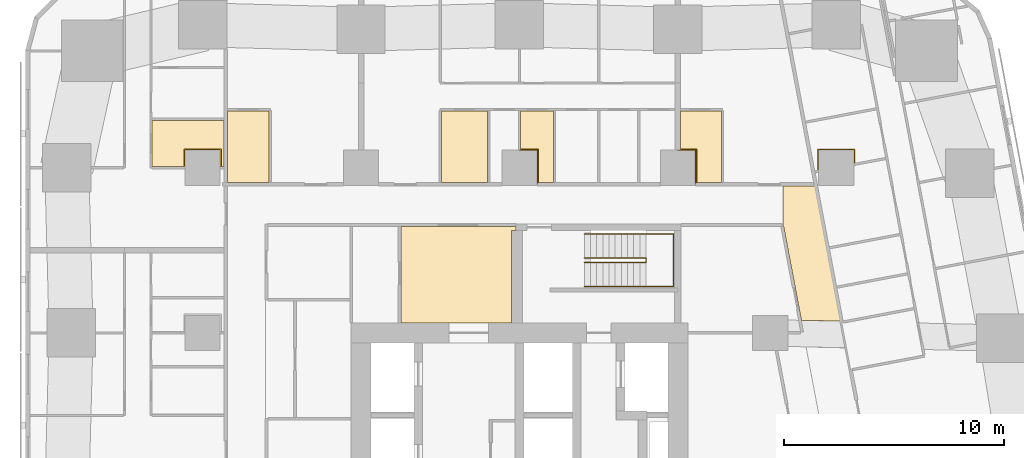
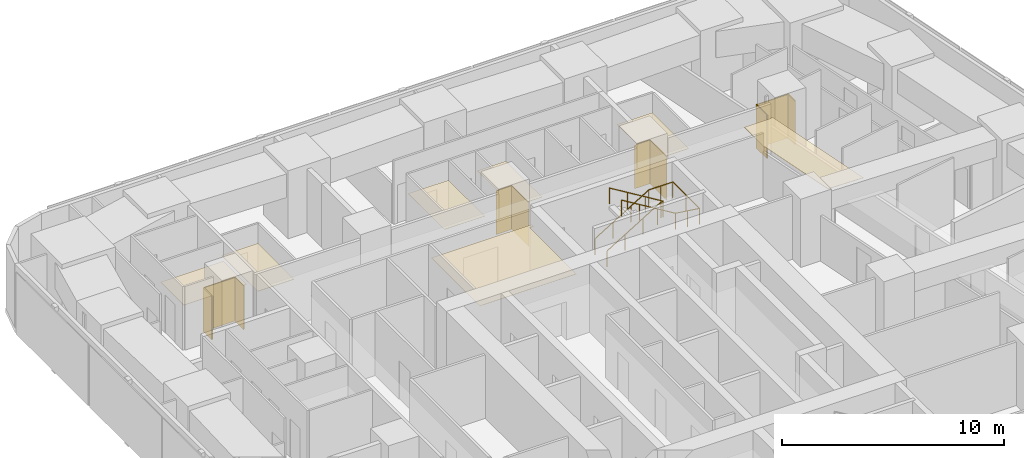
# One storey, part 15 of 15: 11 coverings, 2 railings.
"""IFC4 building model written with IfcOpenShell, lengths in metres."""

from ifc_helpers import new_model, si_unit, direction, frame, origin, origin_2d, place, context, subcontext, project, spatial, polyline, circle, outline, extrude, material, layer, layer_set, type_object, element, save


model = new_model("IFC4")

# Units and contexts
model_context = context("Model", 3, precision=1e-05, world=origin(), true_north=direction((0.0, 1.0)))
body_context = subcontext(model_context, "Body", "Model", "MODEL_VIEW")
ifc_project = project(units=[si_unit("LENGTHUNIT", "METRE"), si_unit("AREAUNIT", "SQUARE_METRE"), si_unit("VOLUMEUNIT", "CUBIC_METRE"), si_unit("PLANEANGLEUNIT", "RADIAN"), si_unit("MASSUNIT", "GRAM", prefix="KILO")], contexts=[model_context])

# Site, building, storey
site_placement = place(None, origin())
site = spatial("IfcSite", under=ifc_project, at=site_placement, CompositionType="ELEMENT")
building_placement = place(site_placement, origin())
building = spatial("IfcBuilding", under=site, at=building_placement, Name="Sheger Commons Tower", CompositionType="ELEMENT")
storey_placement = place(building_placement, frame((0.0, 0.0, 85.39990234375)))
storey = spatial("IfcBuildingStorey", under=building, at=storey_placement, Name="L21", CompositionType="ELEMENT", Elevation=85.39990234375)

# Railings
ifc_material_1 = material(Name="Steel handrail, black powder-coated", Category="steel")
railing_type = type_object("IfcRailingType", Name="HANDRAIL 900", PredefinedType="HANDRAIL", material=ifc_material_1)
railing_1_placement = place(storey_placement, frame((24.550048828125, 33.39990234375, 0.170654296875)))
element("IfcRailing", 1, at=railing_1_placement, inside=storey, type_object=railing_type, Name="Stair S2 handrail L21", PredefinedType="HANDRAIL", context=body_context, shape_type="SweptSolid", body=[
    extrude(circle(Radius=0.02392578125, at=origin_2d()), frame((0.0, 0.0, 0.8759765625), z_axis=(0.854202870247, 0.0, 0.519939858505), x_axis=(0.0, 1.0, 0.0)), (0.0, 0.0, 1.0), 3.278076171875),
    extrude(circle(Radius=0.02392578125, at=origin_2d()), frame((2.800048828125, 0.0, 2.580078125), z_axis=(0.0, -0.760631612298, 0.649183757016), x_axis=(1.0, 0.0, 0.0)), (0.0, 0.0, 1.0), 0.262939453125),
    extrude(circle(Radius=0.02392578125, at=origin_2d()), frame((2.800048828125, -0.199951171875, 2.7509765625), z_axis=(-0.854202870247, 0.0, 0.519939858505), x_axis=(0.0, -1.0, 0.0)), (0.0, 0.0, 1.0), 3.278076171875),
    extrude(circle(Radius=0.02099609375, at=origin_2d()), origin(), (0.0, 0.0, 1.0), 0.851806640625),
    extrude(circle(Radius=0.02099609375, at=origin_2d()), frame((0.933349609375, 0.0, 0.568115234375)), (0.0, 0.0, 1.0), 0.851806640625),
    extrude(circle(Radius=0.02099609375, at=origin_2d()), frame((1.86669921875, 0.0, 1.13623046875)), (0.0, 0.0, 1.0), 0.851806640625),
    extrude(circle(Radius=0.02099609375, at=origin_2d()), frame((2.800048828125, 0.0, 1.704345703125)), (0.0, 0.0, 1.0), 0.851806640625),
    extrude(circle(Radius=0.02099609375, at=origin_2d()), frame((2.800048828125, -0.199951171875, 1.875)), (0.0, 0.0, 1.0), 0.851806640625),
    extrude(circle(Radius=0.02099609375, at=origin_2d()), frame((1.86669921875, -0.199951171875, 2.443115234375)), (0.0, 0.0, 1.0), 0.851806640625),
    extrude(circle(Radius=0.02099609375, at=origin_2d()), frame((0.933349609375, -0.199951171875, 3.01123046875)), (0.0, 0.0, 1.0), 0.851806640625),
    extrude(circle(Radius=0.02099609375, at=origin_2d()), frame((0.0, -0.199951171875, 3.579345703125)), (0.0, 0.0, 1.0), 0.851806640625),
])
railing_2_placement = place(storey_placement, frame((24.550048828125, 34.5, 0.170654296875)))
element("IfcRailing", 2, at=railing_2_placement, inside=storey, type_object=railing_type, Name="Stair S2 handrail L21", PredefinedType="HANDRAIL", context=body_context, shape_type="SweptSolid", body=[
    extrude(circle(Radius=0.02392578125, at=origin_2d()), frame((0.0, 0.0, 0.8759765625), z_axis=(0.854202870247, 0.0, 0.519939858505), x_axis=(0.0, 1.0, 0.0)), (0.0, 0.0, 1.0), 3.278076171875),
    extrude(circle(Radius=0.02392578125, at=origin_2d()), frame((2.800048828125, 0.0, 2.580078125), z_axis=(1.0, 0.0, 0.0), x_axis=(0.0, 1.0, 0.0)), (0.0, 0.0, 1.0), 1.25),
    extrude(circle(Radius=0.02392578125, at=origin_2d()), frame((4.050048828125, 0.0, 2.580078125), z_axis=(0.0, -1.0, 0.0), x_axis=(1.0, 0.0, 0.0)), (0.0, 0.0, 1.0), 2.39990234375),
    extrude(circle(Radius=0.02392578125, at=origin_2d()), frame((4.050048828125, -2.39990234375, 2.580078125), z_axis=(-0.990808959222, 0.0, 0.135268645019), x_axis=(0.0, -1.0, 0.0)), (0.0, 0.0, 1.0), 1.261474609375),
    extrude(circle(Radius=0.02392578125, at=origin_2d()), frame((2.800048828125, -2.39990234375, 2.7509765625), z_axis=(-0.854202870247, 0.0, 0.519939858505), x_axis=(0.0, -1.0, 0.0)), (0.0, 0.0, 1.0), 3.278076171875),
    extrude(circle(Radius=0.02099609375, at=origin_2d()), origin(), (0.0, 0.0, 1.0), 0.851806640625),
    extrude(circle(Radius=0.02099609375, at=origin_2d()), frame((0.933349609375, 0.0, 0.568115234375)), (0.0, 0.0, 1.0), 0.851806640625),
    extrude(circle(Radius=0.02099609375, at=origin_2d()), frame((1.86669921875, 0.0, 1.13623046875)), (0.0, 0.0, 1.0), 0.851806640625),
    extrude(circle(Radius=0.02099609375, at=origin_2d()), frame((2.800048828125, 0.0, 1.704345703125)), (0.0, 0.0, 1.0), 0.851806640625),
    extrude(circle(Radius=0.02099609375, at=origin_2d()), frame((3.425048828125, 0.0, 1.704345703125)), (0.0, 0.0, 1.0), 0.851806640625),
    extrude(circle(Radius=0.02099609375, at=origin_2d()), frame((4.050048828125, 0.0, 1.704345703125)), (0.0, 0.0, 1.0), 0.851806640625),
    extrude(circle(Radius=0.02099609375, at=origin_2d()), frame((4.050048828125, -1.199951171875, 1.704345703125)), (0.0, 0.0, 1.0), 0.851806640625),
    extrude(circle(Radius=0.02099609375, at=origin_2d()), frame((4.050048828125, -2.39990234375, 1.704345703125)), (0.0, 0.0, 1.0), 0.851806640625),
    extrude(circle(Radius=0.02099609375, at=origin_2d()), frame((3.425048828125, -2.39990234375, 1.78955078125)), (0.0, 0.0, 1.0), 0.851806640625),
    extrude(circle(Radius=0.02099609375, at=origin_2d()), frame((2.800048828125, -2.39990234375, 1.875)), (0.0, 0.0, 1.0), 0.851806640625),
    extrude(circle(Radius=0.02099609375, at=origin_2d()), frame((1.86669921875, -2.39990234375, 2.443115234375)), (0.0, 0.0, 1.0), 0.851806640625),
    extrude(circle(Radius=0.02099609375, at=origin_2d()), frame((0.933349609375, -2.39990234375, 3.01123046875)), (0.0, 0.0, 1.0), 0.851806640625),
    extrude(circle(Radius=0.02099609375, at=origin_2d()), frame((0.0, -2.39990234375, 3.579345703125)), (0.0, 0.0, 1.0), 0.851806640625),
])

# Coverings
ifc_material_2 = material(Name="Moisture-resistant gypsum plasterboard 15 mm on a suspended galvanised steel grid", Category="steel")
ifc_layer_1 = layer(ifc_material_2, 0.014892578125)
ifc_layer_set_1 = layer_set([ifc_layer_1], Name="MOISTURE-RESISTANT CEILING 15")
covering_type_1 = type_object("IfcCoveringType", Name="MOISTURE-RESISTANT CEILING 15", PredefinedType="CEILING", material=ifc_layer_set_1)
covering_1_placement = place(storey_placement, frame((0.0, 0.0, 2.400146484375)))
element("IfcCovering", 3, at=covering_1_placement, inside=storey, type_object=covering_type_1, Name="L21-03.B1 ceiling", PredefinedType="CEILING", context=body_context, shape_type="SweptSolid", body=[
    extrude(outline(polyline([(4.905029296875, 37.554931640625), (6.39501953125, 37.554931640625), (6.39501953125, 38.304931640625), (8.0048828125, 38.304931640625), (8.0048828125, 37.554931640625), (8.169921875, 37.554931640625), (8.169921875, 39.655029296875), (4.905029296875, 39.655029296875), (4.905029296875, 37.554931640625)])), origin(), (0.0, 0.0, 1.0), 0.014892578125),
])
covering_2_placement = place(storey_placement, frame((0.0, 0.0, 2.400146484375)))
element("IfcCovering", 4, at=covering_2_placement, inside=storey, type_object=covering_type_1, Name="L21-10.B1 ceiling", PredefinedType="CEILING", context=body_context, shape_type="SweptSolid", body=[
    extrude(outline(polyline([(8.330078125, 36.830078125), (10.22412109375, 36.830078125), (10.22412109375, 40.094970703125), (8.330078125, 40.094970703125), (8.330078125, 36.830078125)])), origin(), (0.0, 0.0, 1.0), 0.014892578125),
])
covering_3_placement = place(storey_placement, frame((0.0, 0.0, 2.400146484375)))
element("IfcCovering", 5, at=covering_3_placement, inside=storey, type_object=covering_type_1, Name="L21-11.B1 ceiling", PredefinedType="CEILING", context=body_context, shape_type="SweptSolid", body=[
    extrude(outline(polyline([(18.054931640625, 36.830078125), (20.155029296875, 36.830078125), (20.155029296875, 40.094970703125), (18.054931640625, 40.094970703125), (18.054931640625, 36.830078125)])), origin(), (0.0, 0.0, 1.0), 0.014892578125),
])
covering_4_placement = place(storey_placement, frame((0.0, 0.0, 2.400146484375)))
element("IfcCovering", 6, at=covering_4_placement, inside=storey, type_object=covering_type_1, Name="L21-11.B2 ceiling", PredefinedType="CEILING", context=body_context, shape_type="SweptSolid", body=[
    extrude(outline(polyline([(22.405029296875, 36.830078125), (23.14501953125, 36.830078125), (23.14501953125, 40.094970703125), (21.655029296875, 40.094970703125), (21.655029296875, 38.304931640625), (22.405029296875, 38.304931640625), (22.405029296875, 36.830078125)])), origin(), (0.0, 0.0, 1.0), 0.014892578125),
])
covering_5_placement = place(storey_placement, frame((0.0, 0.0, 2.400146484375)))
element("IfcCovering", 7, at=covering_5_placement, inside=storey, type_object=covering_type_1, Name="L21-12.B1 ceiling", PredefinedType="CEILING", context=body_context, shape_type="SweptSolid", body=[
    extrude(outline(polyline([(29.60498046875, 36.830078125), (30.77392578125, 36.830078125), (30.77392578125, 40.094970703125), (28.929931640625, 40.094970703125), (28.929931640625, 38.304931640625), (29.60498046875, 38.304931640625), (29.60498046875, 36.830078125)])), origin(), (0.0, 0.0, 1.0), 0.014892578125),
])
ifc_material_3 = material(Name="Gypsum plasterboard 15 mm on a suspended steel grid", Category="steel")
ifc_layer_2 = layer(ifc_material_3, 0.014892578125)
ifc_layer_set_2 = layer_set([ifc_layer_2], Name="SUSPENDED CEILING 15")
covering_type_2 = type_object("IfcCoveringType", Name="SUSPENDED CEILING 15", PredefinedType="CEILING", material=ifc_layer_set_2)
covering_6_placement = place(storey_placement, frame((0.0, 0.0, 2.7001953125)))
element("IfcCovering", 8, at=covering_6_placement, inside=storey, type_object=covering_type_2, Name="L21-CO ceiling", PredefinedType="CEILING", context=body_context, shape_type="SweptSolid", body=[
    extrude(outline(polyline([(36.237060546875, 30.531982421875), (35.06201171875, 36.75), (34.97802734375, 36.75), (34.97802734375, 36.669921875), (33.572998046875, 36.669921875), (33.572998046875, 34.947998046875), (33.571044921875, 34.947998046875), (33.589111328125, 34.85205078125), (33.60595703125, 34.85498046875), (34.416015625, 30.572998046875), (36.237060546875, 30.531982421875)])), origin(), (0.0, 0.0, 1.0), 0.014892578125),
])
covering_7_placement = place(storey_placement, frame((0.0, 0.0, 2.7001953125)))
element("IfcCovering", 9, at=covering_7_placement, inside=storey, type_object=covering_type_2, Name="L21-SVN1 ceiling", PredefinedType="CEILING", context=body_context, shape_type="SweptSolid", body=[
    extrude(outline(polyline([(16.217041015625, 30.455078125), (21.2451171875, 30.455078125), (21.2451171875, 34.655029296875), (21.445068359375, 34.655029296875), (21.445068359375, 34.83203125), (16.217041015625, 34.83203125), (16.217041015625, 30.455078125)])), origin(), (0.0, 0.0, 1.0), 0.014892578125),
])
ifc_material_4 = material(Name="Moisture-resistant gypsum board 12.5 mm on 25 mm treated timber battens, tanked and tiled", Category="wood")
ifc_layer_3 = layer(ifc_material_4, 0.050048828125)
ifc_layer_set_3 = layer_set([ifc_layer_3], Name="WET-ROOM COLUMN LINING")
covering_type_3 = type_object("IfcCoveringType", Name="WET-ROOM COLUMN LINING", PredefinedType="CLADDING", material=ifc_layer_set_3)
covering_8_placement = place(storey_placement, origin())
element("IfcCovering", 10, at=covering_8_placement, inside=storey, type_object=covering_type_3, Name="Bathroom column lining C9 L21", PredefinedType="CLADDING", context=body_context, shape_type="SweptSolid", body=[
    extrude(outline(polyline([(8.050048828125, 38.35009765625), (8.050048828125, 37.550048828125), (8.0009765625, 37.550048828125), (8.0009765625, 37.5), (8.0, 37.5), (8.0, 38.300048828125), (6.39990234375, 38.300048828125), (6.39990234375, 37.5), (6.39892578125, 37.5), (6.39892578125, 37.550048828125), (6.35009765625, 37.550048828125), (6.35009765625, 38.35009765625), (8.050048828125, 38.35009765625)])), origin(), (0.0, 0.0, 1.0), 2.400146484375),
])
covering_9_placement = place(storey_placement, origin())
element("IfcCovering", 11, at=covering_9_placement, inside=storey, type_object=covering_type_3, Name="Shower room column lining C9 L21", PredefinedType="CLADDING", context=body_context, shape_type="SweptSolid", body=[
    extrude(outline(polyline([(22.449951171875, 36.824951171875), (22.40087890625, 36.824951171875), (22.40087890625, 36.75), (22.39990234375, 36.75), (22.39990234375, 38.300048828125), (21.60009765625, 38.300048828125), (21.60009765625, 38.301025390625), (21.64990234375, 38.301025390625), (21.64990234375, 38.35009765625), (22.449951171875, 38.35009765625), (22.449951171875, 36.824951171875)])), origin(), (0.0, 0.0, 1.0), 2.400146484375),
])
covering_10_placement = place(storey_placement, origin())
element("IfcCovering", 12, at=covering_10_placement, inside=storey, type_object=covering_type_3, Name="Shower room column lining C9 L21", PredefinedType="CLADDING", context=body_context, shape_type="SweptSolid", body=[
    extrude(outline(polyline([(29.64990234375, 36.824951171875), (29.60107421875, 36.824951171875), (29.60107421875, 36.75), (29.60009765625, 36.75), (29.60009765625, 38.300048828125), (28.800048828125, 38.300048828125), (28.800048828125, 38.301025390625), (28.925048828125, 38.301025390625), (28.925048828125, 38.35009765625), (29.64990234375, 38.35009765625), (29.64990234375, 36.824951171875)])), origin(), (0.0, 0.0, 1.0), 2.400146484375),
])
covering_11_placement = place(storey_placement, origin())
element("IfcCovering", 13, at=covering_11_placement, inside=storey, type_object=covering_type_3, Name="Laundry room column lining C9 L21", PredefinedType="CLADDING", context=body_context, shape_type="SweptSolid", body=[
    extrude(outline(polyline([(36.85009765625, 38.35009765625), (36.85009765625, 37.7109375), (36.801025390625, 37.701904296875), (36.81005859375, 37.653076171875), (36.800048828125, 37.65087890625), (36.800048828125, 38.300048828125), (35.199951171875, 38.300048828125), (35.199951171875, 37.34912109375), (35.18994140625, 37.346923828125), (35.180908203125, 37.39599609375), (35.14990234375, 37.389892578125), (35.14990234375, 38.35009765625), (36.85009765625, 38.35009765625)])), origin(), (0.0, 0.0, 1.0), 2.400146484375),
])

save(model, "model.ifc")
